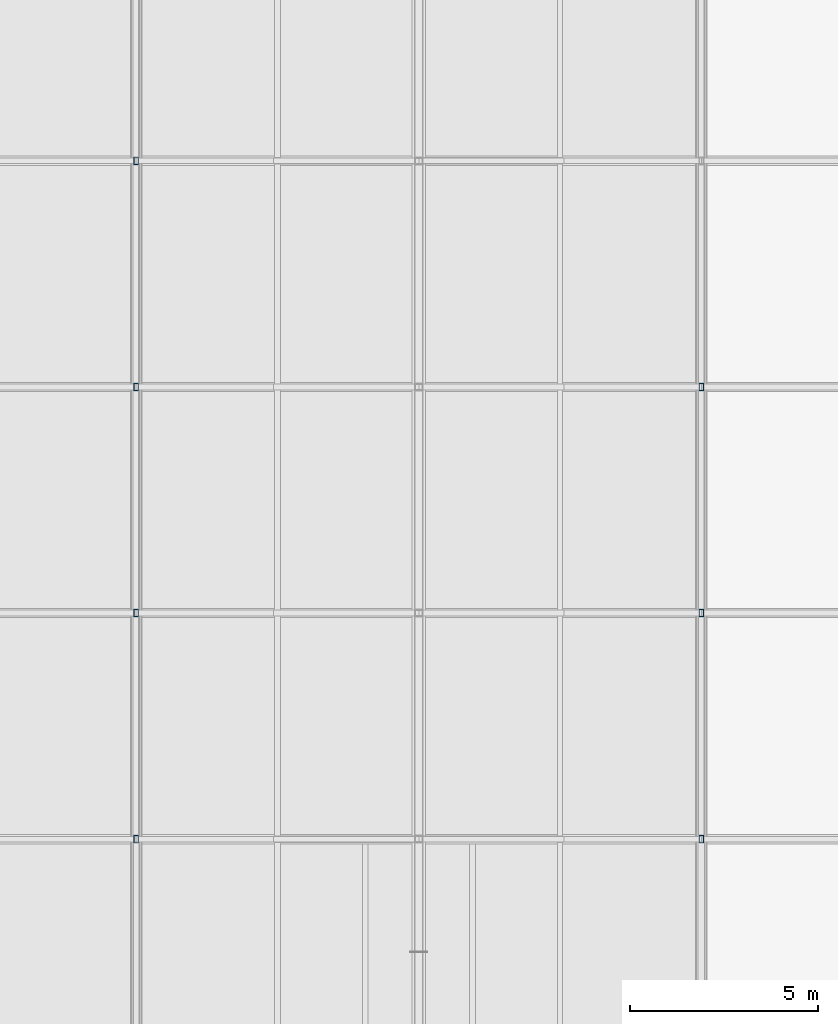
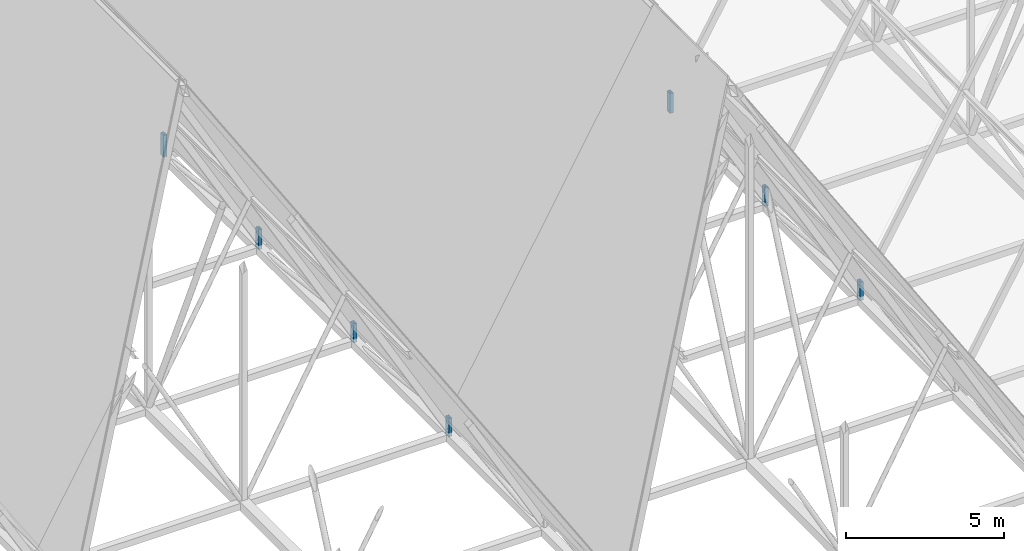
# One storey, part 258 of 324: 7 members.
"""IFC4 building model written with IfcOpenShell, lengths in metres."""

import ifcopenshell
import ifcopenshell.guid

model = None  # the IFC model being written
_history = None  # IfcOwnerHistory: only IFC2X3 demands one
_inside = {}  # id of a spatial element -> (the spatial element, [elements in it])
_under = {}  # id of a project, library or spatial element -> (it, [spatial elements below it])
_declared = {}  # id of a project -> (the project, [libraries it declares])
_typed = {}  # id of a type object -> (the type object, [elements of that type])
_made_of = {}  # id of a material, layer set ... -> (it, [elements and type objects made of it])


def new_model(schema):
    """Start an empty IFC model of exactly this schema.

    Asked for "IFC4X3", IfcOpenShell would pick the latest addendum, in which some entities
    have other attributes; the version numbers below select the first issue.
    IFC2X3 requires an IfcOwnerHistory on every rooted entity: one is made here for all.
    """
    global model, _history
    if schema == "IFC4X3":
        model = ifcopenshell.file(schema_version=(4, 3, 0, 0))
    else:
        model = ifcopenshell.file(schema=schema)
    _inside.clear()
    _under.clear()
    _declared.clear()
    _typed.clear()
    _made_of.clear()
    _history = None
    if model.schema == "IFC2X3":
        org = make("IfcOrganization", Name="unknown")
        user = make(
            "IfcPersonAndOrganization",
            ThePerson=make("IfcPerson", FamilyName="unknown"),
            TheOrganization=org,
        )
        app = make(
            "IfcApplication",
            ApplicationDeveloper=org,
            Version="unknown",
            ApplicationFullName="unknown",
            ApplicationIdentifier="unknown",
        )
        _history = make(
            "IfcOwnerHistory",
            OwningUser=user,
            OwningApplication=app,
            ChangeAction="ADDED",
            CreationDate=0,
        )
    return model


def make(cls, **values):
    """One entity of the class cls with the attributes given. An attribute that is None is left unset."""
    return model.create_entity(
        cls, **{name: value for name, value in values.items() if value is not None}
    )


def rooted(cls, **values):
    """An entity with a GlobalId (a new one), such as an element, a storey or a relation."""
    return make(cls, GlobalId=ifcopenshell.guid.new(), OwnerHistory=_history, **values)


def si_unit(unit_type, name, prefix=None):
    """IfcSIUnit, for example si_unit("LENGTHUNIT", "METRE", prefix="MILLI")."""
    return make("IfcSIUnit", UnitType=unit_type, Prefix=prefix, Name=name)


def assignment(units):
    """IfcUnitAssignment: the units of a project."""
    return None if units is None else make("IfcUnitAssignment", Units=units)


def point(xyz):
    """IfcCartesianPoint."""
    return None if xyz is None else make("IfcCartesianPoint", Coordinates=xyz)


def direction(xyz):
    """IfcDirection."""
    return None if xyz is None else make("IfcDirection", DirectionRatios=xyz)


def frame(location, z_axis=None, x_axis=None):
    """IfcAxis2Placement3D, a coordinate frame: its origin and axes. An axis left out is left unset."""
    return make(
        "IfcAxis2Placement3D",
        Location=point(location),
        Axis=direction(z_axis),
        RefDirection=direction(x_axis),
    )


def frame_2d(location, x_axis=None):
    """IfcAxis2Placement2D, a coordinate frame in the plane: its origin and x axis."""
    return make(
        "IfcAxis2Placement2D", Location=point(location), RefDirection=direction(x_axis)
    )


def origin():
    """The frame at (0, 0, 0) with its axes left unset."""
    return frame((0.0, 0.0, 0.0))


def origin_2d():
    """The frame at (0, 0) in the plane with its x axis left unset."""
    return frame_2d((0.0, 0.0))


def place(relative_to, where):
    """IfcLocalPlacement: puts the frame where relative to a parent placement (None: the world)."""
    return make(
        "IfcLocalPlacement", PlacementRelTo=relative_to, RelativePlacement=where
    )


def context(
    kind, dimensions, precision=None, world=None, true_north=None, identifier=None
):
    """IfcGeometricRepresentationContext, for example the 3D "Model" context."""
    return make(
        "IfcGeometricRepresentationContext",
        ContextIdentifier=identifier,
        ContextType=kind,
        CoordinateSpaceDimension=dimensions,
        Precision=precision,
        WorldCoordinateSystem=world,
        TrueNorth=true_north,
    )


def subcontext(parent, identifier, kind, view, scale=None):
    """IfcGeometricRepresentationSubContext, for example "Body" below "Model"."""
    return make(
        "IfcGeometricRepresentationSubContext",
        ContextIdentifier=identifier,
        ContextType=kind,
        ParentContext=parent,
        TargetScale=scale,
        TargetView=view,
    )


def project(units=None, contexts=None):
    """IfcProject with its units and contexts."""
    return rooted(
        "IfcProject",
        Name="project",
        RepresentationContexts=contexts,
        UnitsInContext=assignment(units),
    )


def spatial(cls, under=None, at=None, **own):
    """A site, building, storey or space (cls), placed at a placement, below another one or the project."""
    s = rooted(cls, ObjectPlacement=at, **own)
    if under is not None:
        _under.setdefault(under.id(), (under, []))[1].append(s)
    return s


def profile(cls, at=None, kind="AREA", **sizes):
    """A parametric profile (cls). Its sizes go by their IFC names, for example OverallWidth=200.0."""
    return make(cls, ProfileType=kind, Position=at, **sizes)


def hollow_rectangle(**sizes):
    """IfcRectangleHollowProfileDef."""
    return profile("IfcRectangleHollowProfileDef", **sizes)


def extrude(swept, where, along, depth):
    """IfcExtrudedAreaSolid: the profile swept, set in the frame where, extruded along a direction by depth."""
    return make(
        "IfcExtrudedAreaSolid",
        SweptArea=swept,
        Position=where,
        ExtrudedDirection=direction(along),
        Depth=depth,
    )


def shape(context_of_items, identifier, shape_type, items):
    """IfcShapeRepresentation: the items that make up one representation, for example the "Body"."""
    return make(
        "IfcShapeRepresentation",
        ContextOfItems=context_of_items,
        RepresentationIdentifier=identifier,
        RepresentationType=shape_type,
        Items=items,
    )


def material(Name=None, Category=None):
    """IfcMaterial."""
    return make("IfcMaterial", Name=Name, Category=Category)


def material_profile(
    of_material, cross_section, Name=None, Category=None, Priority=None
):
    """IfcMaterialProfile: a cross section and its material."""
    return make(
        "IfcMaterialProfile",
        Name=Name,
        Material=of_material,
        Profile=cross_section,
        Priority=Priority,
        Category=Category,
    )


def profile_set(profiles, Name=None, composite=None):
    """IfcMaterialProfileSet."""
    return make(
        "IfcMaterialProfileSet",
        Name=Name,
        MaterialProfiles=profiles,
        CompositeProfile=composite,
    )


def made_of(thing, what):
    """Note that an element or type object is made of a material, layer set ...; save() writes the relation."""
    if what is not None:
        _made_of.setdefault(what.id(), (what, []))[1].append(thing)
    return thing


def type_object(cls, material=None, **own):
    """A type object (cls), such as IfcWallType, which elements share."""
    return made_of(rooted(cls, **own), material)


def element(
    cls,
    number,
    at=None,
    inside=None,
    cuts=None,
    type_object=None,
    material=None,
    context=None,
    identifier="Body",
    shape_type=None,
    held_by="IfcProductDefinitionShape",
    body=None,
    shapes=None,
    **own,
):
    """One element of the class cls, such as IfcWall. Its Tag is "e" and its number.

    at: its placement. inside: the storey or other place that contains it. cuts: it is an
    opening in that element (IfcRelVoidsElement). A single representation is given by context,
    identifier, shape_type and body (its items); several are given by shapes. held_by: the class
    of the entity that holds the representations. save() writes the other relations.
    """
    e = rooted(cls, Tag="e%d" % number, ObjectPlacement=at, **own)
    if body is not None:
        shapes = [shape(context, identifier, shape_type, body)]
    if shapes is not None:
        e.Representation = make(held_by, Representations=shapes)
    if inside is not None:
        _inside.setdefault(inside.id(), (inside, []))[1].append(e)
    if cuts is not None:
        rooted(
            "IfcRelVoidsElement", RelatingBuildingElement=cuts, RelatedOpeningElement=e
        )
    if type_object is not None:
        _typed.setdefault(type_object.id(), (type_object, []))[1].append(e)
    return made_of(e, material)


def aggregate(whole, parts):
    """IfcRelAggregates: a whole, such as a stair, and the parts it consists of."""
    return rooted("IfcRelAggregates", RelatingObject=whole, RelatedObjects=parts)


def save(model, path):
    """Write the relations noted so far, then the file.

    IfcRelAggregates (storeys below a building ...), IfcRelContainedInSpatialStructure (elements
    in a storey), IfcRelDefinesByType, IfcRelAssociatesMaterial and IfcRelDeclares: one each for
    every whole, place, type object, material and project.
    """
    for whole, parts in _under.values():
        aggregate(whole, parts)
    for where, things in _inside.values():
        rooted(
            "IfcRelContainedInSpatialStructure",
            RelatedElements=things,
            RelatingStructure=where,
        )
    for kind, things in _typed.values():
        rooted("IfcRelDefinesByType", RelatedObjects=things, RelatingType=kind)
    for what, things in _made_of.values():
        rooted("IfcRelAssociatesMaterial", RelatedObjects=things, RelatingMaterial=what)
    for by, libraries in _declared.values():
        rooted("IfcRelDeclares", RelatingContext=by, RelatedDefinitions=libraries)
    model.write(path)


model = new_model("IFC4")

# Units and contexts
model_context = context("Model", 3, precision=1e-05, world=origin(), true_north=direction((0.0, 1.0)))
body_context = subcontext(model_context, "Body", "Model", "MODEL_VIEW")
ifc_project = project(units=[si_unit("LENGTHUNIT", "METRE"), si_unit("AREAUNIT", "SQUARE_METRE"), si_unit("VOLUMEUNIT", "CUBIC_METRE"), si_unit("PLANEANGLEUNIT", "RADIAN"), si_unit("MASSUNIT", "GRAM", prefix="KILO")], contexts=[model_context])

# Site, building, storey
site_placement = place(None, origin())
site = spatial("IfcSite", under=ifc_project, at=site_placement, CompositionType="ELEMENT")
building_placement = place(site_placement, origin())
building = spatial("IfcBuilding", under=site, at=building_placement, Name="Solvenia Promenade Tram Depot", CompositionType="ELEMENT")
storey_placement = place(building_placement, frame((0.0, 0.0, 4.5)))
storey = spatial("IfcBuildingStorey", under=building, at=storey_placement, Name="L01", CompositionType="ELEMENT", Elevation=4.5)

# Members
ifc_material = material(Name="Structural steel ASTM A500 Gr. C", Category="steel")
ifc_material_profile = material_profile(ifc_material, hollow_rectangle(XDim=0.1201171875, YDim=0.199951171875, WallThickness=0.008056640625, at=origin_2d()), Name="HSS200x120x8", Category="steel")
ifc_profile_set = profile_set([ifc_material_profile], Name="Structural steel ASTM A500 Gr. C")
member_type = type_object("IfcMemberType", Name="Post-HSS200x120x8", PredefinedType="POST", material=ifc_profile_set)
member_1_placement = place(storey_placement, frame((75.0, 96.0, 2.669921875), z_axis=(0.0, 0.0, 1.0), x_axis=(1.0, 0.0, 0.0)))
element("IfcMember", 1, at=member_1_placement, inside=storey, type_object=member_type, Name="Arched Truss T11 Web Post S05", PredefinedType="POST", context=body_context, shape_type="SweptSolid", body=[
    extrude(hollow_rectangle(XDim=0.1201171875, YDim=0.199951171875, WallThickness=0.008056640625, at=origin_2d()), origin(), (0.0, 0.0, 1.0), 0.7099609375),
])
member_2_placement = place(storey_placement, frame((75.0, 102.0, 2.656005859375), z_axis=(0.0, 0.0, 1.0), x_axis=(1.0, 0.0, 0.0)))
element("IfcMember", 2, at=member_2_placement, inside=storey, type_object=member_type, Name="Arched Truss T11 Web Post S06", PredefinedType="POST", context=body_context, shape_type="SweptSolid", body=[
    extrude(hollow_rectangle(XDim=0.1201171875, YDim=0.199951171875, WallThickness=0.008056640625, at=origin_2d()), origin(), (0.0, 0.0, 1.0), 0.723876953125),
])
member_3_placement = place(storey_placement, frame((75.0, 108.0, 2.614013671875), z_axis=(0.0, 0.0, 1.0), x_axis=(1.0, 0.0, 0.0)))
element("IfcMember", 3, at=member_3_placement, inside=storey, type_object=member_type, Name="Arched Truss T11 Web Post S07", PredefinedType="POST", context=body_context, shape_type="SweptSolid", body=[
    extrude(hollow_rectangle(XDim=0.1201171875, YDim=0.199951171875, WallThickness=0.008056640625, at=origin_2d()), origin(), (0.0, 0.0, 1.0), 0.765869140625),
])
member_4_placement = place(storey_placement, frame((75.0, 114.0, 2.5439453125), z_axis=(0.0, 0.0, 1.0), x_axis=(1.0, 0.0, 0.0)))
element("IfcMember", 4, at=member_4_placement, inside=storey, type_object=member_type, Name="Arched Truss T11 Web Post S08", PredefinedType="POST", context=body_context, shape_type="SweptSolid", body=[
    extrude(hollow_rectangle(XDim=0.1201171875, YDim=0.199951171875, WallThickness=0.008056640625, at=origin_2d()), origin(), (0.0, 0.0, 1.0), 0.8359375),
])
member_5_placement = place(storey_placement, frame((90.0, 96.0, 2.669921875), z_axis=(0.0, 0.0, 1.0), x_axis=(1.0, 0.0, 0.0)))
element("IfcMember", 5, at=member_5_placement, inside=storey, type_object=member_type, Name="Arched Truss T13 Web Post S05", PredefinedType="POST", context=body_context, shape_type="SweptSolid", body=[
    extrude(hollow_rectangle(XDim=0.1201171875, YDim=0.199951171875, WallThickness=0.008056640625, at=origin_2d()), origin(), (0.0, 0.0, 1.0), 0.7099609375),
])
member_6_placement = place(storey_placement, frame((90.0, 102.0, 2.656005859375), z_axis=(0.0, 0.0, 1.0), x_axis=(1.0, 0.0, 0.0)))
element("IfcMember", 6, at=member_6_placement, inside=storey, type_object=member_type, Name="Arched Truss T13 Web Post S06", PredefinedType="POST", context=body_context, shape_type="SweptSolid", body=[
    extrude(hollow_rectangle(XDim=0.1201171875, YDim=0.199951171875, WallThickness=0.008056640625, at=origin_2d()), origin(), (0.0, 0.0, 1.0), 0.723876953125),
])
member_7_placement = place(storey_placement, frame((90.0, 108.0, 2.614013671875), z_axis=(0.0, 0.0, 1.0), x_axis=(1.0, 0.0, 0.0)))
element("IfcMember", 7, at=member_7_placement, inside=storey, type_object=member_type, Name="Arched Truss T13 Web Post S07", PredefinedType="POST", context=body_context, shape_type="SweptSolid", body=[
    extrude(hollow_rectangle(XDim=0.1201171875, YDim=0.199951171875, WallThickness=0.008056640625, at=origin_2d()), origin(), (0.0, 0.0, 1.0), 0.765869140625),
])

save(model, "model.ifc")
